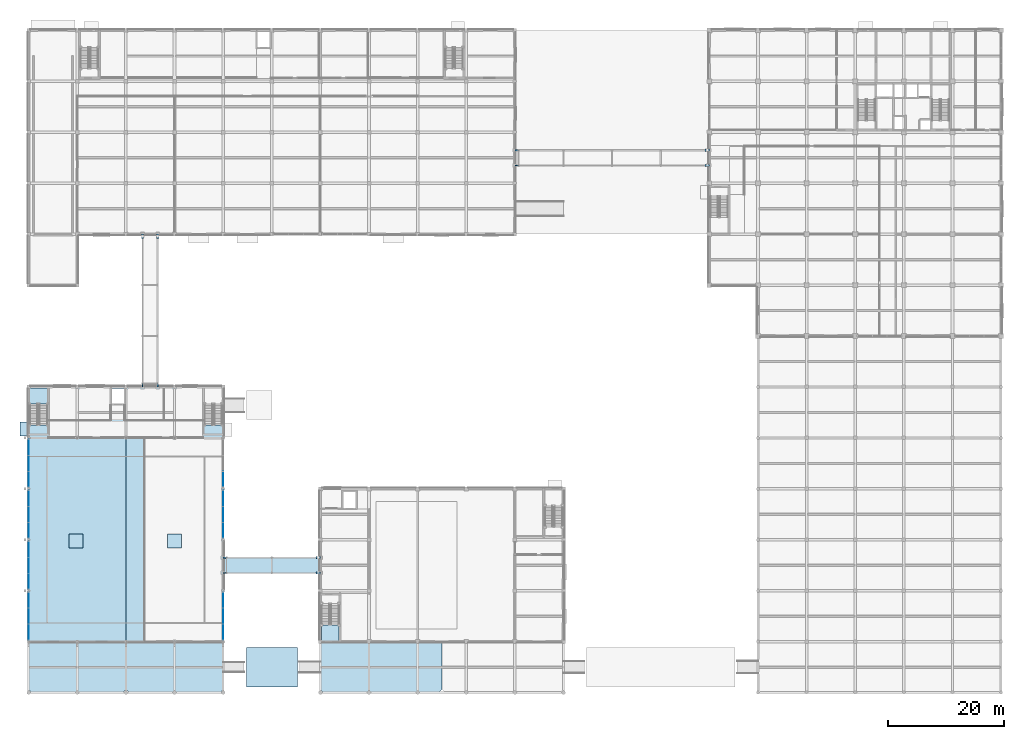
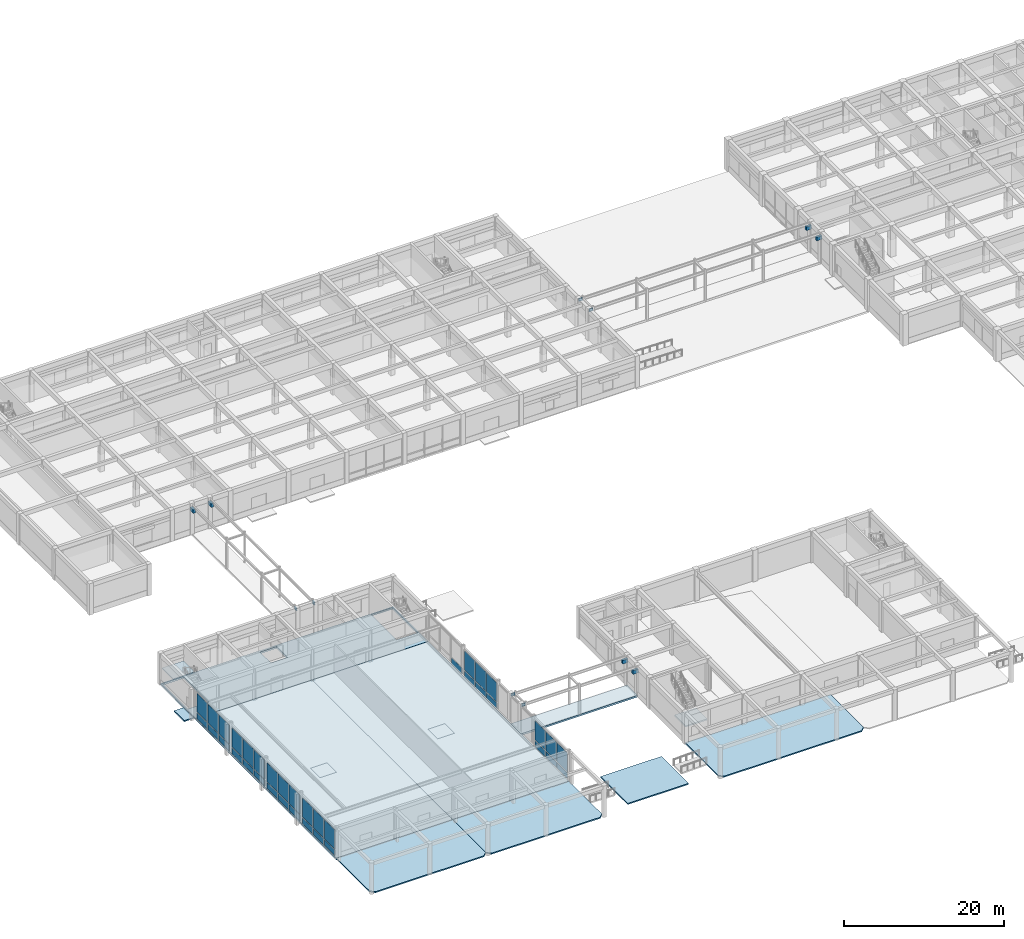
# One storey, part 26 of 58: 37 plates, 13 slabs, 12 beams, 9 elements without a shape of their own.
"""IFC4 building model written with IfcOpenShell, lengths in metres."""

from ifc_helpers import new_model, si_unit, direction, frame, origin, origin_2d, place, context, subcontext, project, spatial, polyline, rectangle, i_section, outline, extrude, material, layer, layer_set, material_profile, profile_set, type_object, element, aggregate, save


model = new_model("IFC4")

# Units and contexts
model_context = context("Model", 3, precision=1e-05, world=origin(), true_north=direction((0.0, 1.0)))
body_context = subcontext(model_context, "Body", "Model", "MODEL_VIEW")
ifc_project = project(units=[si_unit("LENGTHUNIT", "METRE"), si_unit("AREAUNIT", "SQUARE_METRE"), si_unit("VOLUMEUNIT", "CUBIC_METRE"), si_unit("PLANEANGLEUNIT", "RADIAN"), si_unit("MASSUNIT", "GRAM", prefix="KILO")], contexts=[model_context])

# Site, building, storey
site_placement = place(None, origin())
site = spatial("IfcSite", under=ifc_project, at=site_placement, CompositionType="ELEMENT")
building_placement = place(site_placement, origin())
building = spatial("IfcBuilding", under=site, at=building_placement, Name="Kemercrest Conservatory and Botanical Centre", CompositionType="ELEMENT")
storey_placement = place(building_placement, origin())
storey = spatial("IfcBuildingStorey", under=building, at=storey_placement, Name="L00", CompositionType="ELEMENT", Elevation=0.0)

# Beams
ifc_material_1 = material(Name="Concrete C50/60", Category="concrete")
ifc_material_profile_1 = material_profile(ifc_material_1, rectangle(XDim=0.35009765625, YDim=0.550048828125, at=origin_2d()), Name="RC 350x550")
ifc_profile_set_1 = profile_set([ifc_material_profile_1], Name="Concrete C50/60")
beam_type_1 = type_object("IfcBeamType", Name="BM-CB55", PredefinedType="BEAM", material=ifc_profile_set_1)
for number, where, z_axis, x_axis, name in (
    (1, (58.39990234375, 28.699951171875, 3.8330078125), (-1.0, 0.0, 0.0), (0.0, -1.0, 0.0), "Seismic joint SJ-1 concrete corbel seat"),
    (2, (58.39990234375, 31.300048828125, 3.8330078125), (-1.0, 0.0, 0.0), (0.0, -1.0, 0.0), "Seismic joint SJ-1 concrete corbel seat"),
    (3, (27.699951171875, 87.199951171875, 3.8330078125), (0.0, -1.0, 0.0), (1.0, 0.0, 0.0), "Seismic joint SJ-2 concrete corbel seat"),
    (4, (30.300048828125, 87.199951171875, 3.8330078125), (0.0, -1.0, 0.0), (1.0, 0.0, 0.0), "Seismic joint SJ-2 concrete corbel seat"),
    (5, (125.60009765625, 99.10009765625, 3.8330078125), (-1.0, 0.0, 0.0), (0.0, -1.0, 0.0), "Seismic joint SJ-3 concrete corbel seat"),
    (6, (125.60009765625, 101.699951171875, 3.8330078125), (-1.0, 0.0, 0.0), (0.0, -1.0, 0.0), "Seismic joint SJ-3 concrete corbel seat"),
):
    element("IfcBeam", number, at=place(storey_placement, frame(where, z_axis=z_axis, x_axis=x_axis)), inside=storey, type_object=beam_type_1, Name=name, PredefinedType="BEAM", context=body_context, shape_type="SweptSolid", body=[
        extrude(rectangle(XDim=0.35009765625, YDim=0.550048828125, at=origin_2d()), origin(), (0.0, 0.0, 1.0), 0.75),
    ])
ifc_material_2 = material(Name="Steel CSA G40.21 350W", Category="steel")
ifc_material_profile_2 = material_profile(ifc_material_2, i_section(OverallWidth=0.180908203125, OverallDepth=0.4169921875, WebThickness=0.010986328125, FlangeThickness=0.018310546875, FilletRadius=0.01611328125, at=origin_2d()), Name="W410X85")
ifc_profile_set_2 = profile_set([ifc_material_profile_2], Name="Steel CSA G40.21 350W")
beam_type_2 = type_object("IfcBeamType", Name="BM-LB410", PredefinedType="BEAM", material=ifc_profile_set_2)
for number, where, z_axis, x_axis, name in (
    (7, (41.60009765625, 28.699951171875, 4.37158203125), (1.0, 0.0, 0.0), (0.0, 1.0, 0.0), "Link bridge girder LB-01 SJ-1"),
    (8, (41.60009765625, 31.300048828125, 4.37158203125), (1.0, 0.0, 0.0), (0.0, 1.0, 0.0), "Link bridge girder LB-01 SJ-1"),
    (9, (27.699951171875, 60.800048828125, 4.37158203125), (0.0, 1.0, 0.0), (-1.0, 0.0, 0.0), "Link bridge girder LB-01 SJ-2"),
    (10, (30.300048828125, 60.800048828125, 4.37158203125), (0.0, 1.0, 0.0), (-1.0, 0.0, 0.0), "Link bridge girder LB-01 SJ-2"),
):
    element("IfcBeam", number, at=place(storey_placement, frame(where, z_axis=z_axis, x_axis=x_axis)), inside=storey, type_object=beam_type_2, Name=name, PredefinedType="BEAM", context=body_context, shape_type="SweptSolid", body=[
        extrude(i_section(OverallWidth=0.180908203125, OverallDepth=0.4169921875, WebThickness=0.010986328125, FlangeThickness=0.018310546875, FilletRadius=0.01611328125, at=origin_2d()), origin(), (0.0, 0.0, 1.0), 0.599853515625),
    ])
for number, where, z_axis, x_axis, name in (
    (11, (92.0, 99.10009765625, 4.37158203125), (1.0, 0.0, 0.0), (0.0, 1.0, 0.0), "Link bridge girder LB-01 SJ-3"),
    (12, (92.0, 101.699951171875, 4.37158203125), (1.0, 0.0, 0.0), (0.0, 1.0, 0.0), "Link bridge girder LB-01 SJ-3"),
):
    element("IfcBeam", number, at=place(storey_placement, frame(where, z_axis=z_axis, x_axis=x_axis)), inside=storey, type_object=beam_type_2, Name=name, PredefinedType="BEAM", context=body_context, shape_type="SweptSolid", body=[
        extrude(i_section(OverallWidth=0.180908203125, OverallDepth=0.4169921875, WebThickness=0.010986328125, FlangeThickness=0.018310546875, FilletRadius=0.01611328125, at=origin_2d()), origin(), (0.0, 0.0, 1.0), 0.60009765625),
    ])

# Curtain wall, plates
ifc_material_3 = material(Name="Thermally broken aluminium and triple low-e glazing", Category="aluminium")
curtain_wall_type_1 = type_object("IfcCurtainWallType", Name="CW-02", PredefinedType="USERDEFINED", material=ifc_material_3)
curtain_wall_1_placement = place(storey_placement, origin())
curtain_wall_1 = element("IfcCurtainWall", 13, at=curtain_wall_1_placement, inside=storey, type_object=curtain_wall_type_1, Name="Unitised curtain wall CW-02 (CW:L00:V1-001)", ObjectType="UNITISED CURTAIN WALL", PredefinedType="USERDEFINED")
ifc_material_4 = material(Name="Laminated solar-control conservatory glazing unit", Category="glass")
ifc_layer_1 = layer(ifc_material_4, 0.0419921875)
ifc_layer_set_1 = layer_set([ifc_layer_1], Name="Laminated solar-control conservatory glazing unit")
plate_type = type_object("IfcPlateType", Name="CW-PNL042", PredefinedType="CURTAIN_PANEL", material=ifc_layer_set_1)
plate_1_placement = place(storey_placement, frame((41.60009765625, 18.451416015625, 0.14990234375), z_axis=(0.0, 0.0, 1.0), x_axis=(0.0, 1.0, 0.0)))
plate_1 = element("IfcPlate", 14, at=plate_1_placement, type_object=plate_type, Name="CW-02 panel 1.1", PredefinedType="CURTAIN_PANEL", context=body_context, shape_type="SweptSolid", body=[
    extrude(rectangle(XDim=2.65478515625, YDim=0.0419921875, at=origin_2d()), origin(), (0.0, 0.0, 1.0), 0.89501953125),
])
plate_2_placement = place(storey_placement, frame((41.60009765625, 18.451416015625, 1.19482421875), z_axis=(0.0, 0.0, 1.0), x_axis=(0.0, 1.0, 0.0)))
plate_2 = element("IfcPlate", 15, at=plate_2_placement, type_object=plate_type, Name="CW-02 panel 1.2", PredefinedType="CURTAIN_PANEL", context=body_context, shape_type="SweptSolid", body=[
    extrude(rectangle(XDim=2.65478515625, YDim=0.0419921875, at=origin_2d()), origin(), (0.0, 0.0, 1.0), 2.885986328125),
])
plate_3_placement = place(storey_placement, frame((41.60009765625, 21.199951171875, 0.14990234375), z_axis=(0.0, 0.0, 1.0), x_axis=(0.0, 1.0, 0.0)))
plate_3 = element("IfcPlate", 16, at=plate_3_placement, type_object=plate_type, Name="CW-02 panel 2.1", PredefinedType="CURTAIN_PANEL", context=body_context, shape_type="SweptSolid", body=[
    extrude(rectangle(XDim=2.6923828125, YDim=0.0419921875, at=origin_2d()), origin(), (0.0, 0.0, 1.0), 0.89501953125),
])
plate_4_placement = place(storey_placement, frame((41.60009765625, 21.199951171875, 1.19482421875), z_axis=(0.0, 0.0, 1.0), x_axis=(0.0, 1.0, 0.0)))
plate_4 = element("IfcPlate", 17, at=plate_4_placement, type_object=plate_type, Name="CW-02 panel 2.2", PredefinedType="CURTAIN_PANEL", context=body_context, shape_type="SweptSolid", body=[
    extrude(rectangle(XDim=2.6923828125, YDim=0.0419921875, at=origin_2d()), origin(), (0.0, 0.0, 1.0), 2.885986328125),
])
plate_5_placement = place(storey_placement, frame((41.60009765625, 23.948486328125, 0.14990234375), z_axis=(0.0, 0.0, 1.0), x_axis=(0.0, 1.0, 0.0)))
plate_5 = element("IfcPlate", 18, at=plate_5_placement, type_object=plate_type, Name="CW-02 panel 3.1", PredefinedType="CURTAIN_PANEL", context=body_context, shape_type="SweptSolid", body=[
    extrude(rectangle(XDim=2.65478515625, YDim=0.0419921875, at=origin_2d()), origin(), (0.0, 0.0, 1.0), 0.89501953125),
])
plate_6_placement = place(storey_placement, frame((41.60009765625, 23.948486328125, 1.19482421875), z_axis=(0.0, 0.0, 1.0), x_axis=(0.0, 1.0, 0.0)))
plate_6 = element("IfcPlate", 19, at=plate_6_placement, type_object=plate_type, Name="CW-02 panel 3.2", PredefinedType="CURTAIN_PANEL", context=body_context, shape_type="SweptSolid", body=[
    extrude(rectangle(XDim=2.65478515625, YDim=0.0419921875, at=origin_2d()), origin(), (0.0, 0.0, 1.0), 2.885986328125),
])
aggregate(curtain_wall_1, [plate_1, plate_2, plate_3, plate_4, plate_5, plate_6])

curtain_wall_type_2 = type_object("IfcCurtainWallType", Name="CW-03", PredefinedType="USERDEFINED", material=ifc_material_3)
curtain_wall_2_placement = place(storey_placement, origin())
curtain_wall_2 = element("IfcCurtainWall", 20, at=curtain_wall_2_placement, inside=storey, type_object=curtain_wall_type_2, Name="Unitised curtain wall CW-03 (CW:L00:V1-002)", ObjectType="UNITISED CURTAIN WALL", PredefinedType="USERDEFINED")
plate_7_placement = place(storey_placement, frame((41.60009765625, 36.051513671875, 0.14990234375), z_axis=(0.0, 0.0, 1.0), x_axis=(0.0, 1.0, 0.0)))
plate_7 = element("IfcPlate", 21, at=plate_7_placement, type_object=plate_type, Name="CW-03 panel 1.1", PredefinedType="CURTAIN_PANEL", context=body_context, shape_type="SweptSolid", body=[
    extrude(rectangle(XDim=2.65478515625, YDim=0.0419921875, at=origin_2d()), origin(), (0.0, 0.0, 1.0), 0.89501953125),
])
plate_8_placement = place(storey_placement, frame((41.60009765625, 36.051513671875, 1.19482421875), z_axis=(0.0, 0.0, 1.0), x_axis=(0.0, 1.0, 0.0)))
plate_8 = element("IfcPlate", 22, at=plate_8_placement, type_object=plate_type, Name="CW-03 panel 1.2", PredefinedType="CURTAIN_PANEL", context=body_context, shape_type="SweptSolid", body=[
    extrude(rectangle(XDim=2.65478515625, YDim=0.0419921875, at=origin_2d()), origin(), (0.0, 0.0, 1.0), 2.885986328125),
])
plate_9_placement = place(storey_placement, frame((41.60009765625, 38.800048828125, 0.14990234375), z_axis=(0.0, 0.0, 1.0), x_axis=(0.0, 1.0, 0.0)))
plate_9 = element("IfcPlate", 23, at=plate_9_placement, type_object=plate_type, Name="CW-03 panel 2.1", PredefinedType="CURTAIN_PANEL", context=body_context, shape_type="SweptSolid", body=[
    extrude(rectangle(XDim=2.6923828125, YDim=0.0419921875, at=origin_2d()), origin(), (0.0, 0.0, 1.0), 0.89501953125),
])
plate_10_placement = place(storey_placement, frame((41.60009765625, 38.800048828125, 1.19482421875), z_axis=(0.0, 0.0, 1.0), x_axis=(0.0, 1.0, 0.0)))
plate_10 = element("IfcPlate", 24, at=plate_10_placement, type_object=plate_type, Name="CW-03 panel 2.2", PredefinedType="CURTAIN_PANEL", context=body_context, shape_type="SweptSolid", body=[
    extrude(rectangle(XDim=2.6923828125, YDim=0.0419921875, at=origin_2d()), origin(), (0.0, 0.0, 1.0), 2.885986328125),
])
plate_11_placement = place(storey_placement, frame((41.60009765625, 41.548583984375, 0.14990234375), z_axis=(0.0, 0.0, 1.0), x_axis=(0.0, 1.0, 0.0)))
plate_11 = element("IfcPlate", 25, at=plate_11_placement, type_object=plate_type, Name="CW-03 panel 3.1", PredefinedType="CURTAIN_PANEL", context=body_context, shape_type="SweptSolid", body=[
    extrude(rectangle(XDim=2.65478515625, YDim=0.0419921875, at=origin_2d()), origin(), (0.0, 0.0, 1.0), 0.89501953125),
])
plate_12_placement = place(storey_placement, frame((41.60009765625, 41.548583984375, 1.19482421875), z_axis=(0.0, 0.0, 1.0), x_axis=(0.0, 1.0, 0.0)))
plate_12 = element("IfcPlate", 26, at=plate_12_placement, type_object=plate_type, Name="CW-03 panel 3.2", PredefinedType="CURTAIN_PANEL", context=body_context, shape_type="SweptSolid", body=[
    extrude(rectangle(XDim=2.65478515625, YDim=0.0419921875, at=origin_2d()), origin(), (0.0, 0.0, 1.0), 2.885986328125),
])
aggregate(curtain_wall_2, [plate_7, plate_8, plate_9, plate_10, plate_11, plate_12])

# Curtain wall, plate
curtain_wall_type_3 = type_object("IfcCurtainWallType", Name="CW-04", PredefinedType="USERDEFINED", material=ifc_material_3)
curtain_wall_3_placement = place(storey_placement, origin())
curtain_wall_3 = element("IfcCurtainWall", 27, at=curtain_wall_3_placement, inside=storey, type_object=curtain_wall_type_3, Name="Unitised curtain wall CW-04 (CW:L00:V1-003)", ObjectType="UNITISED CURTAIN WALL", PredefinedType="USERDEFINED")
plate_13_placement = place(storey_placement, frame((41.60009765625, 44.851318359375, 0.14990234375), z_axis=(0.0, 0.0, 1.0), x_axis=(0.0, 1.0, 0.0)))
plate_13 = element("IfcPlate", 28, at=plate_13_placement, type_object=plate_type, Name="CW-04 panel 1.1", PredefinedType="CURTAIN_PANEL", context=body_context, shape_type="SweptSolid", body=[
    extrude(rectangle(XDim=2.65478515625, YDim=0.0419921875, at=origin_2d()), origin(), (0.0, 0.0, 1.0), 0.89501953125),
])
aggregate(curtain_wall_3, [plate_13])

# Curtain wall, plates
curtain_wall_type_4 = type_object("IfcCurtainWallType", Name="CW-05", PredefinedType="USERDEFINED", material=ifc_material_3)
curtain_wall_4_placement = place(storey_placement, origin())
curtain_wall_4 = element("IfcCurtainWall", 29, at=curtain_wall_4_placement, inside=storey, type_object=curtain_wall_type_4, Name="Unitised curtain wall CW-05 (CW:L00:V1-004)", ObjectType="UNITISED CURTAIN WALL", PredefinedType="USERDEFINED")
plate_14_placement = place(storey_placement, frame((8.0, 50.3486328125, 0.14990234375), z_axis=(0.0, 0.0, 1.0), x_axis=(0.0, -1.0, 0.0)))
plate_14 = element("IfcPlate", 30, at=plate_14_placement, type_object=plate_type, Name="CW-05 panel 1.1", PredefinedType="CURTAIN_PANEL", context=body_context, shape_type="SweptSolid", body=[
    extrude(rectangle(XDim=2.65478515625, YDim=0.0419921875, at=origin_2d()), origin(), (0.0, 0.0, 1.0), 0.89501953125),
])
plate_15_placement = place(storey_placement, frame((8.0, 50.3486328125, 1.19482421875), z_axis=(0.0, 0.0, 1.0), x_axis=(0.0, -1.0, 0.0)))
plate_15 = element("IfcPlate", 31, at=plate_15_placement, type_object=plate_type, Name="CW-05 panel 1.2", PredefinedType="CURTAIN_PANEL", context=body_context, shape_type="SweptSolid", body=[
    extrude(rectangle(XDim=2.65478515625, YDim=0.0419921875, at=origin_2d()), origin(), (0.0, 0.0, 1.0), 2.885986328125),
])
plate_16_placement = place(storey_placement, frame((8.0, 47.60009765625, 0.14990234375), z_axis=(0.0, 0.0, 1.0), x_axis=(0.0, -1.0, 0.0)))
plate_16 = element("IfcPlate", 32, at=plate_16_placement, type_object=plate_type, Name="CW-05 panel 2.1", PredefinedType="CURTAIN_PANEL", context=body_context, shape_type="SweptSolid", body=[
    extrude(rectangle(XDim=2.6923828125, YDim=0.0419921875, at=origin_2d()), origin(), (0.0, 0.0, 1.0), 0.89501953125),
])
plate_17_placement = place(storey_placement, frame((8.0, 47.60009765625, 1.19482421875), z_axis=(0.0, 0.0, 1.0), x_axis=(0.0, -1.0, 0.0)))
plate_17 = element("IfcPlate", 33, at=plate_17_placement, type_object=plate_type, Name="CW-05 panel 2.2", PredefinedType="CURTAIN_PANEL", context=body_context, shape_type="SweptSolid", body=[
    extrude(rectangle(XDim=2.6923828125, YDim=0.0419921875, at=origin_2d()), origin(), (0.0, 0.0, 1.0), 2.885986328125),
])
plate_18_placement = place(storey_placement, frame((8.0, 44.851318359375, 0.14990234375), z_axis=(0.0, 0.0, 1.0), x_axis=(0.0, -1.0, 0.0)))
plate_18 = element("IfcPlate", 34, at=plate_18_placement, type_object=plate_type, Name="CW-05 panel 3.1", PredefinedType="CURTAIN_PANEL", context=body_context, shape_type="SweptSolid", body=[
    extrude(rectangle(XDim=2.65478515625, YDim=0.0419921875, at=origin_2d()), origin(), (0.0, 0.0, 1.0), 0.89501953125),
])
plate_19_placement = place(storey_placement, frame((8.0, 44.851318359375, 1.19482421875), z_axis=(0.0, 0.0, 1.0), x_axis=(0.0, -1.0, 0.0)))
plate_19 = element("IfcPlate", 35, at=plate_19_placement, type_object=plate_type, Name="CW-05 panel 3.2", PredefinedType="CURTAIN_PANEL", context=body_context, shape_type="SweptSolid", body=[
    extrude(rectangle(XDim=2.65478515625, YDim=0.0419921875, at=origin_2d()), origin(), (0.0, 0.0, 1.0), 2.885986328125),
])
aggregate(curtain_wall_4, [plate_14, plate_15, plate_16, plate_17, plate_18, plate_19])

curtain_wall_type_5 = type_object("IfcCurtainWallType", Name="CW-06", PredefinedType="USERDEFINED", material=ifc_material_3)
curtain_wall_5_placement = place(storey_placement, origin())
curtain_wall_5 = element("IfcCurtainWall", 36, at=curtain_wall_5_placement, inside=storey, type_object=curtain_wall_type_5, Name="Unitised curtain wall CW-06 (CW:L00:V1-005)", ObjectType="UNITISED CURTAIN WALL", PredefinedType="USERDEFINED")
plate_20_placement = place(storey_placement, frame((8.0, 41.548583984375, 0.14990234375), z_axis=(0.0, 0.0, 1.0), x_axis=(0.0, -1.0, 0.0)))
plate_20 = element("IfcPlate", 37, at=plate_20_placement, type_object=plate_type, Name="CW-06 panel 1.1", PredefinedType="CURTAIN_PANEL", context=body_context, shape_type="SweptSolid", body=[
    extrude(rectangle(XDim=2.65478515625, YDim=0.0419921875, at=origin_2d()), origin(), (0.0, 0.0, 1.0), 0.89501953125),
])
plate_21_placement = place(storey_placement, frame((8.0, 41.548583984375, 1.19482421875), z_axis=(0.0, 0.0, 1.0), x_axis=(0.0, -1.0, 0.0)))
plate_21 = element("IfcPlate", 38, at=plate_21_placement, type_object=plate_type, Name="CW-06 panel 1.2", PredefinedType="CURTAIN_PANEL", context=body_context, shape_type="SweptSolid", body=[
    extrude(rectangle(XDim=2.65478515625, YDim=0.0419921875, at=origin_2d()), origin(), (0.0, 0.0, 1.0), 2.885986328125),
])
plate_22_placement = place(storey_placement, frame((8.0, 38.800048828125, 0.14990234375), z_axis=(0.0, 0.0, 1.0), x_axis=(0.0, -1.0, 0.0)))
plate_22 = element("IfcPlate", 39, at=plate_22_placement, type_object=plate_type, Name="CW-06 panel 2.1", PredefinedType="CURTAIN_PANEL", context=body_context, shape_type="SweptSolid", body=[
    extrude(rectangle(XDim=2.6923828125, YDim=0.0419921875, at=origin_2d()), origin(), (0.0, 0.0, 1.0), 0.89501953125),
])
plate_23_placement = place(storey_placement, frame((8.0, 38.800048828125, 1.19482421875), z_axis=(0.0, 0.0, 1.0), x_axis=(0.0, -1.0, 0.0)))
plate_23 = element("IfcPlate", 40, at=plate_23_placement, type_object=plate_type, Name="CW-06 panel 2.2", PredefinedType="CURTAIN_PANEL", context=body_context, shape_type="SweptSolid", body=[
    extrude(rectangle(XDim=2.6923828125, YDim=0.0419921875, at=origin_2d()), origin(), (0.0, 0.0, 1.0), 2.885986328125),
])
plate_24_placement = place(storey_placement, frame((8.0, 36.051513671875, 0.14990234375), z_axis=(0.0, 0.0, 1.0), x_axis=(0.0, -1.0, 0.0)))
plate_24 = element("IfcPlate", 41, at=plate_24_placement, type_object=plate_type, Name="CW-06 panel 3.1", PredefinedType="CURTAIN_PANEL", context=body_context, shape_type="SweptSolid", body=[
    extrude(rectangle(XDim=2.65478515625, YDim=0.0419921875, at=origin_2d()), origin(), (0.0, 0.0, 1.0), 0.89501953125),
])
plate_25_placement = place(storey_placement, frame((8.0, 36.051513671875, 1.19482421875), z_axis=(0.0, 0.0, 1.0), x_axis=(0.0, -1.0, 0.0)))
plate_25 = element("IfcPlate", 42, at=plate_25_placement, type_object=plate_type, Name="CW-06 panel 3.2", PredefinedType="CURTAIN_PANEL", context=body_context, shape_type="SweptSolid", body=[
    extrude(rectangle(XDim=2.65478515625, YDim=0.0419921875, at=origin_2d()), origin(), (0.0, 0.0, 1.0), 2.885986328125),
])
aggregate(curtain_wall_5, [plate_20, plate_21, plate_22, plate_23, plate_24, plate_25])

curtain_wall_type_6 = type_object("IfcCurtainWallType", Name="CW-07", PredefinedType="USERDEFINED", material=ifc_material_3)
curtain_wall_6_placement = place(storey_placement, origin())
curtain_wall_6 = element("IfcCurtainWall", 43, at=curtain_wall_6_placement, inside=storey, type_object=curtain_wall_type_6, Name="Unitised curtain wall CW-07 (CW:L00:V1-006)", ObjectType="UNITISED CURTAIN WALL", PredefinedType="USERDEFINED")
plate_26_placement = place(storey_placement, frame((8.0, 32.74853515625, 0.14990234375), z_axis=(0.0, 0.0, 1.0), x_axis=(0.0, -1.0, 0.0)))
plate_26 = element("IfcPlate", 44, at=plate_26_placement, type_object=plate_type, Name="CW-07 panel 1.1", PredefinedType="CURTAIN_PANEL", context=body_context, shape_type="SweptSolid", body=[
    extrude(rectangle(XDim=2.65478515625, YDim=0.0419921875, at=origin_2d()), origin(), (0.0, 0.0, 1.0), 0.89501953125),
])
plate_27_placement = place(storey_placement, frame((8.0, 32.74853515625, 1.19482421875), z_axis=(0.0, 0.0, 1.0), x_axis=(0.0, -1.0, 0.0)))
plate_27 = element("IfcPlate", 45, at=plate_27_placement, type_object=plate_type, Name="CW-07 panel 1.2", PredefinedType="CURTAIN_PANEL", context=body_context, shape_type="SweptSolid", body=[
    extrude(rectangle(XDim=2.65478515625, YDim=0.0419921875, at=origin_2d()), origin(), (0.0, 0.0, 1.0), 2.885986328125),
])
plate_28_placement = place(storey_placement, frame((8.0, 30.0, 0.14990234375), z_axis=(0.0, 0.0, 1.0), x_axis=(0.0, -1.0, 0.0)))
plate_28 = element("IfcPlate", 46, at=plate_28_placement, type_object=plate_type, Name="CW-07 panel 2.1", PredefinedType="CURTAIN_PANEL", context=body_context, shape_type="SweptSolid", body=[
    extrude(rectangle(XDim=2.6923828125, YDim=0.0419921875, at=origin_2d()), origin(), (0.0, 0.0, 1.0), 0.89501953125),
])
plate_29_placement = place(storey_placement, frame((8.0, 30.0, 1.19482421875), z_axis=(0.0, 0.0, 1.0), x_axis=(0.0, -1.0, 0.0)))
plate_29 = element("IfcPlate", 47, at=plate_29_placement, type_object=plate_type, Name="CW-07 panel 2.2", PredefinedType="CURTAIN_PANEL", context=body_context, shape_type="SweptSolid", body=[
    extrude(rectangle(XDim=2.6923828125, YDim=0.0419921875, at=origin_2d()), origin(), (0.0, 0.0, 1.0), 2.885986328125),
])
plate_30_placement = place(storey_placement, frame((8.0, 27.25146484375, 0.14990234375), z_axis=(0.0, 0.0, 1.0), x_axis=(0.0, -1.0, 0.0)))
plate_30 = element("IfcPlate", 48, at=plate_30_placement, type_object=plate_type, Name="CW-07 panel 3.1", PredefinedType="CURTAIN_PANEL", context=body_context, shape_type="SweptSolid", body=[
    extrude(rectangle(XDim=2.65478515625, YDim=0.0419921875, at=origin_2d()), origin(), (0.0, 0.0, 1.0), 0.89501953125),
])
plate_31_placement = place(storey_placement, frame((8.0, 27.25146484375, 1.19482421875), z_axis=(0.0, 0.0, 1.0), x_axis=(0.0, -1.0, 0.0)))
plate_31 = element("IfcPlate", 49, at=plate_31_placement, type_object=plate_type, Name="CW-07 panel 3.2", PredefinedType="CURTAIN_PANEL", context=body_context, shape_type="SweptSolid", body=[
    extrude(rectangle(XDim=2.65478515625, YDim=0.0419921875, at=origin_2d()), origin(), (0.0, 0.0, 1.0), 2.885986328125),
])
aggregate(curtain_wall_6, [plate_26, plate_27, plate_28, plate_29, plate_30, plate_31])

curtain_wall_type_7 = type_object("IfcCurtainWallType", Name="CW-08", PredefinedType="USERDEFINED", material=ifc_material_3)
curtain_wall_7_placement = place(storey_placement, origin())
curtain_wall_7 = element("IfcCurtainWall", 50, at=curtain_wall_7_placement, inside=storey, type_object=curtain_wall_type_7, Name="Unitised curtain wall CW-08 (CW:L00:V1-007)", ObjectType="UNITISED CURTAIN WALL", PredefinedType="USERDEFINED")
plate_32_placement = place(storey_placement, frame((8.0, 23.948486328125, 0.14990234375), z_axis=(0.0, 0.0, 1.0), x_axis=(0.0, -1.0, 0.0)))
plate_32 = element("IfcPlate", 51, at=plate_32_placement, type_object=plate_type, Name="CW-08 panel 1.1", PredefinedType="CURTAIN_PANEL", context=body_context, shape_type="SweptSolid", body=[
    extrude(rectangle(XDim=2.65478515625, YDim=0.0419921875, at=origin_2d()), origin(), (0.0, 0.0, 1.0), 0.89501953125),
])
plate_33_placement = place(storey_placement, frame((8.0, 23.948486328125, 1.19482421875), z_axis=(0.0, 0.0, 1.0), x_axis=(0.0, -1.0, 0.0)))
plate_33 = element("IfcPlate", 52, at=plate_33_placement, type_object=plate_type, Name="CW-08 panel 1.2", PredefinedType="CURTAIN_PANEL", context=body_context, shape_type="SweptSolid", body=[
    extrude(rectangle(XDim=2.65478515625, YDim=0.0419921875, at=origin_2d()), origin(), (0.0, 0.0, 1.0), 2.885986328125),
])
plate_34_placement = place(storey_placement, frame((8.0, 21.199951171875, 0.14990234375), z_axis=(0.0, 0.0, 1.0), x_axis=(0.0, -1.0, 0.0)))
plate_34 = element("IfcPlate", 53, at=plate_34_placement, type_object=plate_type, Name="CW-08 panel 2.1", PredefinedType="CURTAIN_PANEL", context=body_context, shape_type="SweptSolid", body=[
    extrude(rectangle(XDim=2.6923828125, YDim=0.0419921875, at=origin_2d()), origin(), (0.0, 0.0, 1.0), 0.89501953125),
])
plate_35_placement = place(storey_placement, frame((8.0, 21.199951171875, 1.19482421875), z_axis=(0.0, 0.0, 1.0), x_axis=(0.0, -1.0, 0.0)))
plate_35 = element("IfcPlate", 54, at=plate_35_placement, type_object=plate_type, Name="CW-08 panel 2.2", PredefinedType="CURTAIN_PANEL", context=body_context, shape_type="SweptSolid", body=[
    extrude(rectangle(XDim=2.6923828125, YDim=0.0419921875, at=origin_2d()), origin(), (0.0, 0.0, 1.0), 2.885986328125),
])
plate_36_placement = place(storey_placement, frame((8.0, 18.451416015625, 0.14990234375), z_axis=(0.0, 0.0, 1.0), x_axis=(0.0, -1.0, 0.0)))
plate_36 = element("IfcPlate", 55, at=plate_36_placement, type_object=plate_type, Name="CW-08 panel 3.1", PredefinedType="CURTAIN_PANEL", context=body_context, shape_type="SweptSolid", body=[
    extrude(rectangle(XDim=2.65478515625, YDim=0.0419921875, at=origin_2d()), origin(), (0.0, 0.0, 1.0), 0.89501953125),
])
plate_37_placement = place(storey_placement, frame((8.0, 18.451416015625, 1.19482421875), z_axis=(0.0, 0.0, 1.0), x_axis=(0.0, -1.0, 0.0)))
plate_37 = element("IfcPlate", 56, at=plate_37_placement, type_object=plate_type, Name="CW-08 panel 3.2", PredefinedType="CURTAIN_PANEL", context=body_context, shape_type="SweptSolid", body=[
    extrude(rectangle(XDim=2.65478515625, YDim=0.0419921875, at=origin_2d()), origin(), (0.0, 0.0, 1.0), 2.885986328125),
])
aggregate(curtain_wall_7, [plate_32, plate_33, plate_34, plate_35, plate_36, plate_37])

# Slabs
ifc_material_5 = material(Name="Precast concrete C40/50", Category="concrete")
ifc_layer_2 = layer(ifc_material_5, 0.179931640625)
ifc_layer_set_2 = layer_set([ifc_layer_2], Name="Precast concrete C40/50")
slab_type_1 = type_object("IfcSlabType", Name="SL-COL180", PredefinedType="USERDEFINED", material=ifc_layer_set_2)
slab_1_placement = place(storey_placement, frame((0.0, 0.0, -0.179931640625)))
element("IfcSlab", 57, at=slab_1_placement, inside=storey, type_object=slab_type_1, Name="V1 South Harbour Colonnade Paving 1", ObjectType="PAVING", PredefinedType="USERDEFINED", context=body_context, shape_type="SweptSolid", body=[
    extrude(outline(polyline([(8.550048828125, 8.0), (24.25, 8.0), (24.800048828125, 8.550048828125), (24.800048828125, 16.800048828125), (8.0, 16.800048828125), (8.0, 8.550048828125), (8.550048828125, 8.0)])), origin(), (0.0, 0.0, 1.0), 0.179931640625),
])
slab_2_placement = place(storey_placement, frame((0.0, 0.0, -0.179931640625)))
element("IfcSlab", 58, at=slab_2_placement, inside=storey, type_object=slab_type_1, Name="V1 South Harbour Colonnade Paving 2", ObjectType="PAVING", PredefinedType="USERDEFINED", context=body_context, shape_type="SweptSolid", body=[
    extrude(outline(polyline([(25.35009765625, 8.0), (41.050048828125, 8.0), (41.60009765625, 8.550048828125), (41.60009765625, 16.800048828125), (24.800048828125, 16.800048828125), (24.800048828125, 8.550048828125), (25.35009765625, 8.0)])), origin(), (0.0, 0.0, 1.0), 0.179931640625),
])
slab_3_placement = place(storey_placement, frame((0.0, 0.0, -0.179931640625)))
element("IfcSlab", 59, at=slab_3_placement, inside=storey, type_object=slab_type_1, Name="V2 Auditorium Harbour Colonnade Paving 1", ObjectType="PAVING", PredefinedType="USERDEFINED", context=body_context, shape_type="SweptSolid", body=[
    extrude(outline(polyline([(58.949951171875, 8.0), (78.85009765625, 8.0), (79.39990234375, 8.550048828125), (79.39990234375, 16.800048828125), (58.39990234375, 16.800048828125), (58.39990234375, 8.550048828125), (58.949951171875, 8.0)])), origin(), (0.0, 0.0, 1.0), 0.179931640625),
])
slab_4_placement = place(storey_placement, frame((0.0, 0.0, -0.280029296875)))
element("IfcSlab", 60, at=slab_4_placement, inside=storey, type_object=slab_type_1, Name="Forecourt promenade plaza slab AR-01", ObjectType="PAVING", PredefinedType="USERDEFINED", context=body_context, shape_type="SweptSolid", body=[
    extrude(outline(polyline([(45.60009765625, 9.0), (54.39990234375, 9.0), (54.39990234375, 15.800048828125), (45.60009765625, 15.800048828125), (45.60009765625, 9.0)])), origin(), (0.0, 0.0, 1.0), 0.179931640625),
])
slab_5_placement = place(storey_placement, frame((0.0, 0.0, -0.179931640625)))
element("IfcSlab", 61, at=slab_5_placement, inside=storey, type_object=slab_type_1, Name="Exterior threshold paving pad ED008", ObjectType="PAVING", PredefinedType="USERDEFINED", context=body_context, shape_type="SweptSolid", body=[
    extrude(outline(polyline([(7.85009765625, 54.7900390625), (7.85009765625, 52.2900390625), (6.5, 52.2900390625), (6.5, 54.7900390625), (7.85009765625, 54.7900390625)])), origin(), (0.0, 0.0, 1.0), 0.179931640625),
])
ifc_material_6 = material(Name="Concrete C40/50", Category="concrete")
ifc_layer_3 = layer(ifc_material_6, 0.25)
ifc_layer_set_3 = layer_set([ifc_layer_3], Name="Concrete C40/50")
slab_type_2 = type_object("IfcSlabType", Name="SL-FL250", PredefinedType="FLOOR", material=ifc_layer_set_3)
slab_6_placement = place(storey_placement, frame((0.0, 0.0, -0.25)))
element("IfcSlab", 62, at=slab_6_placement, inside=storey, type_object=slab_type_2, Name="V1 Conservatory Planted Biome Bed 1", PredefinedType="FLOOR", context=body_context, shape_type="SweptSolid", body=[
    extrude(outline(polyline([(15.0, 33.0), (17.39990234375, 33.0), (17.39990234375, 35.39990234375), (15.0, 35.39990234375), (15.0, 33.0)])), origin(), (0.0, 0.0, 1.0), 0.25),
])
slab_7_placement = place(storey_placement, frame((0.0, 0.0, -0.25)))
element("IfcSlab", 63, at=slab_7_placement, inside=storey, type_object=slab_type_2, Name="V1 Conservatory Planted Biome Bed 2", PredefinedType="FLOOR", context=body_context, shape_type="SweptSolid", body=[
    extrude(outline(polyline([(32.0, 33.0), (34.39990234375, 33.0), (34.39990234375, 35.39990234375), (32.0, 35.39990234375), (32.0, 33.0)])), origin(), (0.0, 0.0, 1.0), 0.25),
])
ifc_layer_4 = layer(ifc_material_6, 0.280029296875)
ifc_layer_set_4 = layer_set([ifc_layer_4], Name="Concrete C40/50")
slab_type_3 = type_object("IfcSlabType", Name="SL-FL280", PredefinedType="FLOOR", material=ifc_layer_set_4)
slab_8_placement = place(storey_placement, frame((0.0, 0.0, -0.280029296875)))
element("IfcSlab", 64, at=slab_8_placement, inside=storey, type_object=slab_type_3, Name="V1 Conservatory Ground Floor Slab 1", PredefinedType="FLOOR", context=body_context, shape_type="SweptSolid", body=[
    extrude(outline(polyline([(8.0, 16.800048828125), (24.800048828125, 16.800048828125), (24.800048828125, 52.0), (8.0, 52.0), (8.0, 16.800048828125)]), holes=[polyline([(15.0, 33.0), (17.39990234375, 33.0), (17.39990234375, 35.39990234375), (15.0, 35.39990234375), (15.0, 33.0)])]), origin(), (0.0, 0.0, 1.0), 0.280029296875),
])
slab_9_placement = place(storey_placement, frame((0.0, 0.0, -0.280029296875)))
element("IfcSlab", 65, at=slab_9_placement, inside=storey, type_object=slab_type_3, Name="V1 Conservatory Ground Floor Slab 2", PredefinedType="FLOOR", context=body_context, shape_type="SweptSolid", body=[
    extrude(outline(polyline([(24.800048828125, 16.800048828125), (41.60009765625, 16.800048828125), (41.60009765625, 52.0), (24.800048828125, 52.0), (24.800048828125, 16.800048828125)]), holes=[polyline([(32.0, 33.0), (34.39990234375, 33.0), (34.39990234375, 35.39990234375), (32.0, 35.39990234375), (32.0, 33.0)])]), origin(), (0.0, 0.0, 1.0), 0.280029296875),
])
slab_10_placement = place(storey_placement, frame((0.0, 0.0, -0.280029296875)))
element("IfcSlab", 66, at=slab_10_placement, inside=storey, type_object=slab_type_3, Name="V1 North Support Bar Ground Floor Slab", PredefinedType="FLOOR", context=body_context, shape_type="SweptSolid", body=[
    extrude(outline(polyline([(8.0, 60.800048828125), (8.0, 52.0), (41.60009765625, 52.0), (41.60009765625, 60.800048828125), (8.0, 60.800048828125)]), holes=[polyline([(41.43994140625, 60.659912109375), (41.43994140625, 54.264892578125), (38.360107421875, 54.264892578125), (38.360107421875, 60.659912109375), (41.43994140625, 60.659912109375)]), polyline([(24.60009765625, 57.800048828125), (22.199951171875, 57.800048828125), (22.199951171875, 60.5), (24.60009765625, 60.5), (24.60009765625, 57.800048828125)]), polyline([(8.159912109375, 54.264892578125), (8.159912109375, 60.659912109375), (11.239990234375, 60.659912109375), (11.239990234375, 54.264892578125), (8.159912109375, 54.264892578125)])]), origin(), (0.0, 0.0, 1.0), 0.280029296875),
])

# Stair, slab
stair_type = type_object("IfcStairType", Name="ST-140-48", PredefinedType="HALF_TURN_STAIR", material=ifc_material_6)
stair_1_placement = place(storey_placement, origin())
stair_1 = element("IfcStair", 67, at=stair_1_placement, inside=storey, type_object=stair_type, Name="L00 Exit stair ST-V1A", PredefinedType="HALF_TURN_STAIR")
ifc_layer_5 = layer(ifc_material_6, 0.199951171875)
ifc_layer_set_5 = layer_set([ifc_layer_5], Name="Concrete C40/50")
slab_type_4 = type_object("IfcSlabType", Name="SL-LND200", PredefinedType="LANDING", material=ifc_layer_set_5)
slab_11_placement = place(storey_placement, frame((0.0, 0.0, 2.199951171875)))
slab_11 = element("IfcSlab", 68, at=slab_11_placement, type_object=slab_type_4, Name="ST-V1A landing 1", PredefinedType="LANDING", context=body_context, shape_type="SweptSolid", body=[
    extrude(outline(polyline([(11.239990234375, 57.8798828125), (11.239990234375, 60.659912109375), (8.159912109375, 60.659912109375), (8.159912109375, 57.8798828125), (11.239990234375, 57.8798828125)])), origin(), (0.0, 0.0, 1.0), 0.199951171875),
])
aggregate(stair_1, [slab_11])

stair_2_placement = place(storey_placement, origin())
stair_2 = element("IfcStair", 69, at=stair_2_placement, inside=storey, type_object=stair_type, Name="L00 Exit stair ST-V2A", PredefinedType="HALF_TURN_STAIR")
slab_12_placement = place(storey_placement, frame((0.0, 0.0, 2.199951171875)))
slab_12 = element("IfcSlab", 70, at=slab_12_placement, type_object=slab_type_4, Name="ST-V2A landing 1", PredefinedType="LANDING", context=body_context, shape_type="SweptSolid", body=[
    extrude(outline(polyline([(58.56005859375, 19.719970703125), (58.56005859375, 16.93994140625), (61.639892578125, 16.93994140625), (61.639892578125, 19.719970703125), (58.56005859375, 19.719970703125)])), origin(), (0.0, 0.0, 1.0), 0.199951171875),
])
aggregate(stair_2, [slab_12])

# Slab
ifc_layer_6 = layer(ifc_material_6, 0.260009765625)
ifc_layer_set_6 = layer_set([ifc_layer_6], Name="Concrete C40/50")
slab_type_5 = type_object("IfcSlabType", Name="SL-TER260", PredefinedType="ROOF", material=ifc_layer_set_6)
slab_13_placement = place(storey_placement, frame((0.0, 0.0, -0.260009765625)))
element("IfcSlab", 71, at=slab_13_placement, inside=storey, type_object=slab_type_5, Name="South Courtyard Covered Passage SJ-1 ground colonnade walkway", PredefinedType="ROOF", context=body_context, shape_type="SweptSolid", body=[
    extrude(outline(polyline([(41.60009765625, 28.699951171875), (58.39990234375, 28.699951171875), (58.39990234375, 31.300048828125), (41.60009765625, 31.300048828125), (41.60009765625, 28.699951171875)])), origin(), (0.0, 0.0, 1.0), 0.260009765625),
])

save(model, "model.ifc")
